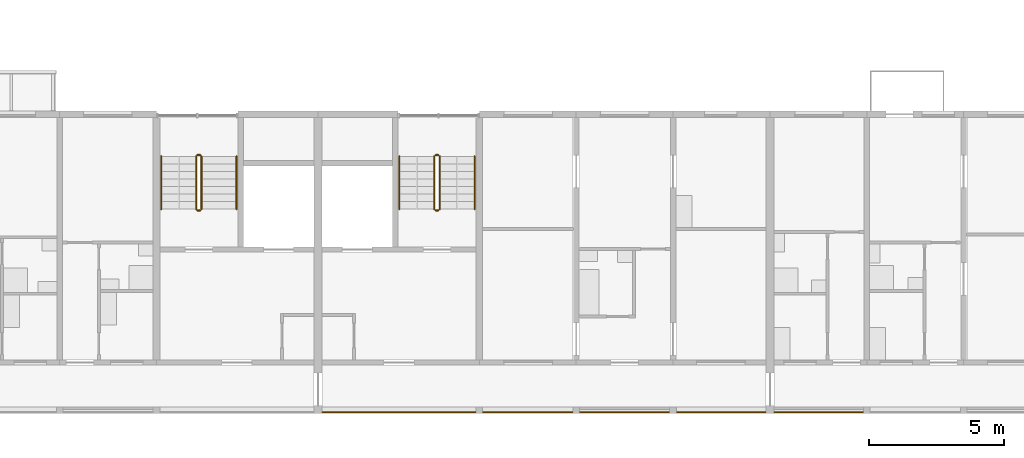
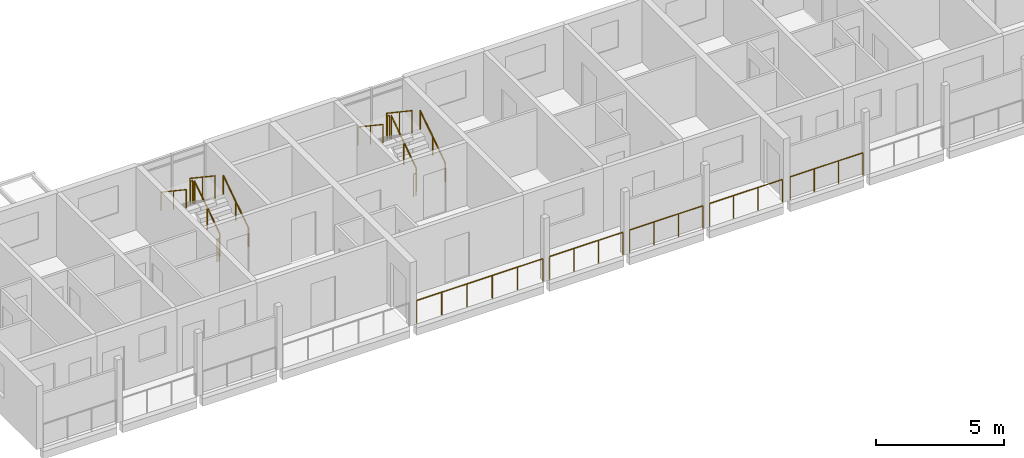
# One storey, part 82 of 93: 17 railings.
"""IFC4 building model written with IfcOpenShell, lengths in metres."""

from ifc_helpers import new_model, si_unit, direction, frame, origin, origin_2d, place, context, subcontext, project, spatial, circle, extrude, material, type_object, element, save


model = new_model("IFC4")

# Units and contexts
model_context = context("Model", 3, precision=1e-05, world=origin(), true_north=direction((0.0, 1.0)))
body_context = subcontext(model_context, "Body", "Model", "MODEL_VIEW")
ifc_project = project(units=[si_unit("LENGTHUNIT", "METRE"), si_unit("AREAUNIT", "SQUARE_METRE"), si_unit("VOLUMEUNIT", "CUBIC_METRE"), si_unit("PLANEANGLEUNIT", "RADIAN"), si_unit("MASSUNIT", "GRAM", prefix="KILO")], contexts=[model_context])

# Site, building, storey
site_placement = place(None, origin())
site = spatial("IfcSite", under=ifc_project, at=site_placement, CompositionType="ELEMENT")
building_placement = place(site_placement, origin())
building = spatial("IfcBuilding", under=site, at=building_placement, Name="Ridgestep Commons", CompositionType="ELEMENT")
storey_placement = place(building_placement, frame((0.0, 0.0, 18.0)))
storey = spatial("IfcBuildingStorey", under=building, at=storey_placement, Name="L06", CompositionType="ELEMENT", Elevation=18.0)

# Railings
ifc_material_1 = material(Name="Structural steel S355JR", Category="steel")
railing_type_1 = type_object("IfcRailingType", Name="Guard 1100", PredefinedType="GUARDRAIL", material=ifc_material_1)
railing_1_placement = place(storey_placement, frame((163.77099609375, 11.800048828125, 0.0)))
element("IfcRailing", 1, at=railing_1_placement, inside=storey, type_object=railing_type_1, Name="Gallery guard D 06.5", PredefinedType="GUARDRAIL", context=body_context, shape_type="SweptSolid", body=[
    extrude(circle(Radius=0.02392578125, at=origin_2d()), frame((0.0, 0.0, 1.076171875), z_axis=(1.0, 0.0, 0.0), x_axis=(0.0, 1.0, 0.0)), (0.0, 0.0, 1.0), 5.68310546875),
    extrude(circle(Radius=0.02099609375, at=origin_2d()), origin(), (0.0, 0.0, 1.0), 1.052001953125),
    extrude(circle(Radius=0.02099609375, at=origin_2d()), frame((1.13671875, 0.0, 0.0)), (0.0, 0.0, 1.0), 1.052001953125),
    extrude(circle(Radius=0.02099609375, at=origin_2d()), frame((2.273193359375, 0.0, 0.0)), (0.0, 0.0, 1.0), 1.052001953125),
    extrude(circle(Radius=0.02099609375, at=origin_2d()), frame((3.409912109375, 0.0, 0.0)), (0.0, 0.0, 1.0), 1.052001953125),
    extrude(circle(Radius=0.02099609375, at=origin_2d()), frame((4.54638671875, 0.0, 0.0)), (0.0, 0.0, 1.0), 1.052001953125),
    extrude(circle(Radius=0.02099609375, at=origin_2d()), frame((5.68310546875, 0.0, 0.0)), (0.0, 0.0, 1.0), 1.052001953125),
])
railing_2_placement = place(storey_placement, frame((169.74609375, 11.800048828125, 0.0)))
element("IfcRailing", 2, at=railing_2_placement, inside=storey, type_object=railing_type_1, Name="Gallery guard D 06.6", PredefinedType="GUARDRAIL", context=body_context, shape_type="SweptSolid", body=[
    extrude(circle(Radius=0.02392578125, at=origin_2d()), frame((0.0, 0.0, 1.076171875), z_axis=(1.0, 0.0, 0.0), x_axis=(0.0, 1.0, 0.0)), (0.0, 0.0, 1.0), 3.307861328125),
    extrude(circle(Radius=0.02099609375, at=origin_2d()), origin(), (0.0, 0.0, 1.0), 1.052001953125),
    extrude(circle(Radius=0.02099609375, at=origin_2d()), frame((1.1025390625, 0.0, 0.0)), (0.0, 0.0, 1.0), 1.052001953125),
    extrude(circle(Radius=0.02099609375, at=origin_2d()), frame((2.205322265625, 0.0, 0.0)), (0.0, 0.0, 1.0), 1.052001953125),
    extrude(circle(Radius=0.02099609375, at=origin_2d()), frame((3.307861328125, 0.0, 0.0)), (0.0, 0.0, 1.0), 1.052001953125),
])
railing_3_placement = place(storey_placement, frame((173.345947265625, 11.800048828125, 0.0)))
element("IfcRailing", 3, at=railing_3_placement, inside=storey, type_object=railing_type_1, Name="Gallery guard D 06.7", PredefinedType="GUARDRAIL", context=body_context, shape_type="SweptSolid", body=[
    extrude(circle(Radius=0.02392578125, at=origin_2d()), frame((0.0, 0.0, 1.076171875), z_axis=(1.0, 0.0, 0.0), x_axis=(0.0, 1.0, 0.0)), (0.0, 0.0, 1.0), 3.30810546875),
    extrude(circle(Radius=0.02099609375, at=origin_2d()), origin(), (0.0, 0.0, 1.0), 1.052001953125),
    extrude(circle(Radius=0.02099609375, at=origin_2d()), frame((1.102783203125, 0.0, 0.0)), (0.0, 0.0, 1.0), 1.052001953125),
    extrude(circle(Radius=0.02099609375, at=origin_2d()), frame((2.205322265625, 0.0, 0.0)), (0.0, 0.0, 1.0), 1.052001953125),
    extrude(circle(Radius=0.02099609375, at=origin_2d()), frame((3.30810546875, 0.0, 0.0)), (0.0, 0.0, 1.0), 1.052001953125),
])
for number, where, name in (
    (4, (176.946044921875, 11.800048828125, 0.0), "Gallery guard D 06.8"),
    (5, (180.571044921875, 11.800048828125, 0.0), "Gallery guard D 06.9"),
):
    element("IfcRailing", number, at=place(storey_placement, frame(where)), inside=storey, type_object=railing_type_1, Name=name, PredefinedType="GUARDRAIL", context=body_context, shape_type="SweptSolid", body=[
        extrude(circle(Radius=0.02392578125, at=origin_2d()), frame((0.0, 0.0, 1.076171875), z_axis=(1.0, 0.0, 0.0), x_axis=(0.0, 1.0, 0.0)), (0.0, 0.0, 1.0), 3.282958984375),
        extrude(circle(Radius=0.02099609375, at=origin_2d()), origin(), (0.0, 0.0, 1.0), 1.052001953125),
        extrude(circle(Radius=0.02099609375, at=origin_2d()), frame((1.09423828125, 0.0, 0.0)), (0.0, 0.0, 1.0), 1.052001953125),
        extrude(circle(Radius=0.02099609375, at=origin_2d()), frame((2.188720703125, 0.0, 0.0)), (0.0, 0.0, 1.0), 1.052001953125),
        extrude(circle(Radius=0.02099609375, at=origin_2d()), frame((3.282958984375, 0.0, 0.0)), (0.0, 0.0, 1.0), 1.052001953125),
    ])
ifc_material_2 = material(Name="Structural steel S355JR", Category="steel")
railing_type_2 = type_object("IfcRailingType", Name="Stair guard 1100", PredefinedType="GUARDRAIL", material=ifc_material_2)
railing_4_placement = place(storey_placement, frame((159.27490234375, 19.35009765625, 0.1875)))
element("IfcRailing", 6, at=railing_4_placement, inside=storey, type_object=railing_type_2, Name="L06 D1C stair guard 1", PredefinedType="GUARDRAIL", context=body_context, shape_type="SweptSolid", body=[
    extrude(circle(Radius=0.02392578125, at=origin_2d()), frame((0.0, 0.0, 1.076171875), z_axis=(0.0, 0.830902050051, 0.556418712142), x_axis=(-1.0, 0.0, 0.0)), (0.0, 0.0, 1.0), 2.35888671875),
    extrude(circle(Radius=0.02099609375, at=origin_2d()), origin(), (0.0, 0.0, 1.0), 1.052001953125),
    extrude(circle(Radius=0.02099609375, at=origin_2d()), frame((0.0, 0.97998046875, 0.65625)), (0.0, 0.0, 1.0), 1.052001953125),
    extrude(circle(Radius=0.02099609375, at=origin_2d()), frame((0.0, 1.9599609375, 1.3125)), (0.0, 0.0, 1.0), 1.052001953125),
])
railing_5_placement = place(storey_placement, frame((159.22509765625, 21.360107421875, 1.5)))
element("IfcRailing", 7, at=railing_5_placement, inside=storey, type_object=railing_type_2, Name="L06 D1C stair guard 2", PredefinedType="GUARDRAIL", context=body_context, shape_type="SweptSolid", body=[
    extrude(circle(Radius=0.02392578125, at=origin_2d()), frame((0.0, 0.0, 1.076171875), z_axis=(-1.0, 0.0, 0.0), x_axis=(0.0, -1.0, 0.0)), (0.0, 0.0, 1.0), 0.10009765625),
    extrude(circle(Radius=0.02099609375, at=origin_2d()), origin(), (0.0, 0.0, 1.0), 1.052001953125),
    extrude(circle(Radius=0.02099609375, at=origin_2d()), frame((-0.10009765625, 0.0, 0.0)), (0.0, 0.0, 1.0), 1.052001953125),
])
railing_6_placement = place(storey_placement, frame((159.074951171875, 21.31005859375, 1.6875)))
element("IfcRailing", 8, at=railing_6_placement, inside=storey, type_object=railing_type_2, Name="L06 D1C stair guard 3", PredefinedType="GUARDRAIL", context=body_context, shape_type="SweptSolid", body=[
    extrude(circle(Radius=0.02392578125, at=origin_2d()), frame((0.0, 0.0, 1.076171875), z_axis=(0.0, -0.830902050051, 0.556418712142), x_axis=(1.0, 0.0, 0.0)), (0.0, 0.0, 1.0), 2.35888671875),
    extrude(circle(Radius=0.02099609375, at=origin_2d()), origin(), (0.0, 0.0, 1.0), 1.052001953125),
    extrude(circle(Radius=0.02099609375, at=origin_2d()), frame((0.0, -0.97998046875, 0.65625)), (0.0, 0.0, 1.0), 1.052001953125),
    extrude(circle(Radius=0.02099609375, at=origin_2d()), frame((0.0, -1.9599609375, 1.3125)), (0.0, 0.0, 1.0), 1.052001953125),
])
railing_7_placement = place(storey_placement, frame((159.22509765625, 19.300048828125, 0.0)))
element("IfcRailing", 9, at=railing_7_placement, inside=storey, type_object=railing_type_2, Name="L06 D1C stair guard 4", PredefinedType="GUARDRAIL", context=body_context, shape_type="SweptSolid", body=[
    extrude(circle(Radius=0.02392578125, at=origin_2d()), frame((0.0, 0.0, 1.076171875), z_axis=(-1.0, 0.0, 0.0), x_axis=(0.0, -1.0, 0.0)), (0.0, 0.0, 1.0), 0.10009765625),
    extrude(circle(Radius=0.02099609375, at=origin_2d()), origin(), (0.0, 0.0, 1.0), 1.052001953125),
    extrude(circle(Radius=0.02099609375, at=origin_2d()), frame((-0.10009765625, 0.0, 0.0)), (0.0, 0.0, 1.0), 1.052001953125),
])
railing_8_placement = place(storey_placement, frame((168.125, 19.35009765625, 0.1875)))
element("IfcRailing", 10, at=railing_8_placement, inside=storey, type_object=railing_type_2, Name="L06 D2C stair guard 1", PredefinedType="GUARDRAIL", context=body_context, shape_type="SweptSolid", body=[
    extrude(circle(Radius=0.02392578125, at=origin_2d()), frame((0.0, 0.0, 1.076171875), z_axis=(0.0, 0.830902050051, 0.556418712142), x_axis=(-1.0, 0.0, 0.0)), (0.0, 0.0, 1.0), 2.35888671875),
    extrude(circle(Radius=0.02099609375, at=origin_2d()), origin(), (0.0, 0.0, 1.0), 1.052001953125),
    extrude(circle(Radius=0.02099609375, at=origin_2d()), frame((0.0, 0.97998046875, 0.65625)), (0.0, 0.0, 1.0), 1.052001953125),
    extrude(circle(Radius=0.02099609375, at=origin_2d()), frame((0.0, 1.9599609375, 1.3125)), (0.0, 0.0, 1.0), 1.052001953125),
])
railing_9_placement = place(storey_placement, frame((168.074951171875, 21.360107421875, 1.5)))
element("IfcRailing", 11, at=railing_9_placement, inside=storey, type_object=railing_type_2, Name="L06 D2C stair guard 2", PredefinedType="GUARDRAIL", context=body_context, shape_type="SweptSolid", body=[
    extrude(circle(Radius=0.02392578125, at=origin_2d()), frame((0.0, 0.0, 1.076171875), z_axis=(-1.0, 0.0, 0.0), x_axis=(0.0, -1.0, 0.0)), (0.0, 0.0, 1.0), 0.099853515625),
    extrude(circle(Radius=0.02099609375, at=origin_2d()), origin(), (0.0, 0.0, 1.0), 1.052001953125),
    extrude(circle(Radius=0.02099609375, at=origin_2d()), frame((-0.099853515625, 0.0, 0.0)), (0.0, 0.0, 1.0), 1.052001953125),
])
railing_10_placement = place(storey_placement, frame((167.925048828125, 21.31005859375, 1.6875)))
element("IfcRailing", 12, at=railing_10_placement, inside=storey, type_object=railing_type_2, Name="L06 D2C stair guard 3", PredefinedType="GUARDRAIL", context=body_context, shape_type="SweptSolid", body=[
    extrude(circle(Radius=0.02392578125, at=origin_2d()), frame((0.0, 0.0, 1.076171875), z_axis=(0.0, -0.830902050051, 0.556418712142), x_axis=(1.0, 0.0, 0.0)), (0.0, 0.0, 1.0), 2.35888671875),
    extrude(circle(Radius=0.02099609375, at=origin_2d()), origin(), (0.0, 0.0, 1.0), 1.052001953125),
    extrude(circle(Radius=0.02099609375, at=origin_2d()), frame((0.0, -0.97998046875, 0.65625)), (0.0, 0.0, 1.0), 1.052001953125),
    extrude(circle(Radius=0.02099609375, at=origin_2d()), frame((0.0, -1.9599609375, 1.3125)), (0.0, 0.0, 1.0), 1.052001953125),
])
railing_11_placement = place(storey_placement, frame((168.074951171875, 19.300048828125, 0.0)))
element("IfcRailing", 13, at=railing_11_placement, inside=storey, type_object=railing_type_2, Name="L06 D2C stair guard 4", PredefinedType="GUARDRAIL", context=body_context, shape_type="SweptSolid", body=[
    extrude(circle(Radius=0.02392578125, at=origin_2d()), frame((0.0, 0.0, 1.076171875), z_axis=(-1.0, 0.0, 0.0), x_axis=(0.0, -1.0, 0.0)), (0.0, 0.0, 1.0), 0.099853515625),
    extrude(circle(Radius=0.02099609375, at=origin_2d()), origin(), (0.0, 0.0, 1.0), 1.052001953125),
    extrude(circle(Radius=0.02099609375, at=origin_2d()), frame((-0.099853515625, 0.0, 0.0)), (0.0, 0.0, 1.0), 1.052001953125),
])
ifc_material_3 = material(Name="Structural steel S355JR", Category="steel")
railing_type_3 = type_object("IfcRailingType", Name="Stair handrail 900", PredefinedType="HANDRAIL", material=ifc_material_3)
railing_12_placement = place(storey_placement, frame((160.574951171875, 19.35009765625, 0.1875)))
element("IfcRailing", 14, at=railing_12_placement, inside=storey, type_object=railing_type_3, Name="L06 D1C stair handrail 1", PredefinedType="HANDRAIL", context=body_context, shape_type="SweptSolid", body=[
    extrude(circle(Radius=0.02392578125, at=origin_2d()), frame((0.0, 0.0, 0.8759765625), z_axis=(0.0, 0.830902050051, 0.556418712142), x_axis=(-1.0, 0.0, 0.0)), (0.0, 0.0, 1.0), 2.35888671875),
    extrude(circle(Radius=0.02099609375, at=origin_2d()), origin(), (0.0, 0.0, 1.0), 0.851806640625),
    extrude(circle(Radius=0.02099609375, at=origin_2d()), frame((0.0, 0.97998046875, 0.65625)), (0.0, 0.0, 1.0), 0.851806640625),
    extrude(circle(Radius=0.02099609375, at=origin_2d()), frame((0.0, 1.9599609375, 1.3125)), (0.0, 0.0, 1.0), 0.851806640625),
])
railing_13_placement = place(storey_placement, frame((157.77490234375, 21.31005859375, 1.6875)))
element("IfcRailing", 15, at=railing_13_placement, inside=storey, type_object=railing_type_3, Name="L06 D1C stair handrail 2", PredefinedType="HANDRAIL", context=body_context, shape_type="SweptSolid", body=[
    extrude(circle(Radius=0.02392578125, at=origin_2d()), frame((0.0, 0.0, 0.8759765625), z_axis=(0.0, -0.830902050051, 0.556418712142), x_axis=(1.0, 0.0, 0.0)), (0.0, 0.0, 1.0), 2.35888671875),
    extrude(circle(Radius=0.02099609375, at=origin_2d()), origin(), (0.0, 0.0, 1.0), 0.851806640625),
    extrude(circle(Radius=0.02099609375, at=origin_2d()), frame((0.0, -0.97998046875, 0.65625)), (0.0, 0.0, 1.0), 0.851806640625),
    extrude(circle(Radius=0.02099609375, at=origin_2d()), frame((0.0, -1.9599609375, 1.3125)), (0.0, 0.0, 1.0), 0.851806640625),
])
railing_14_placement = place(storey_placement, frame((169.425048828125, 19.35009765625, 0.1875)))
element("IfcRailing", 16, at=railing_14_placement, inside=storey, type_object=railing_type_3, Name="L06 D2C stair handrail 1", PredefinedType="HANDRAIL", context=body_context, shape_type="SweptSolid", body=[
    extrude(circle(Radius=0.02392578125, at=origin_2d()), frame((0.0, 0.0, 0.8759765625), z_axis=(0.0, 0.830902050051, 0.556418712142), x_axis=(-1.0, 0.0, 0.0)), (0.0, 0.0, 1.0), 2.35888671875),
    extrude(circle(Radius=0.02099609375, at=origin_2d()), origin(), (0.0, 0.0, 1.0), 0.851806640625),
    extrude(circle(Radius=0.02099609375, at=origin_2d()), frame((0.0, 0.97998046875, 0.65625)), (0.0, 0.0, 1.0), 0.851806640625),
    extrude(circle(Radius=0.02099609375, at=origin_2d()), frame((0.0, 1.9599609375, 1.3125)), (0.0, 0.0, 1.0), 0.851806640625),
])
railing_15_placement = place(storey_placement, frame((166.625, 21.31005859375, 1.6875)))
element("IfcRailing", 17, at=railing_15_placement, inside=storey, type_object=railing_type_3, Name="L06 D2C stair handrail 2", PredefinedType="HANDRAIL", context=body_context, shape_type="SweptSolid", body=[
    extrude(circle(Radius=0.02392578125, at=origin_2d()), frame((0.0, 0.0, 0.8759765625), z_axis=(0.0, -0.830902050051, 0.556418712142), x_axis=(1.0, 0.0, 0.0)), (0.0, 0.0, 1.0), 2.35888671875),
    extrude(circle(Radius=0.02099609375, at=origin_2d()), origin(), (0.0, 0.0, 1.0), 0.851806640625),
    extrude(circle(Radius=0.02099609375, at=origin_2d()), frame((0.0, -0.97998046875, 0.65625)), (0.0, 0.0, 1.0), 0.851806640625),
    extrude(circle(Radius=0.02099609375, at=origin_2d()), frame((0.0, -1.9599609375, 1.3125)), (0.0, 0.0, 1.0), 0.851806640625),
])

save(model, "model.ifc")
